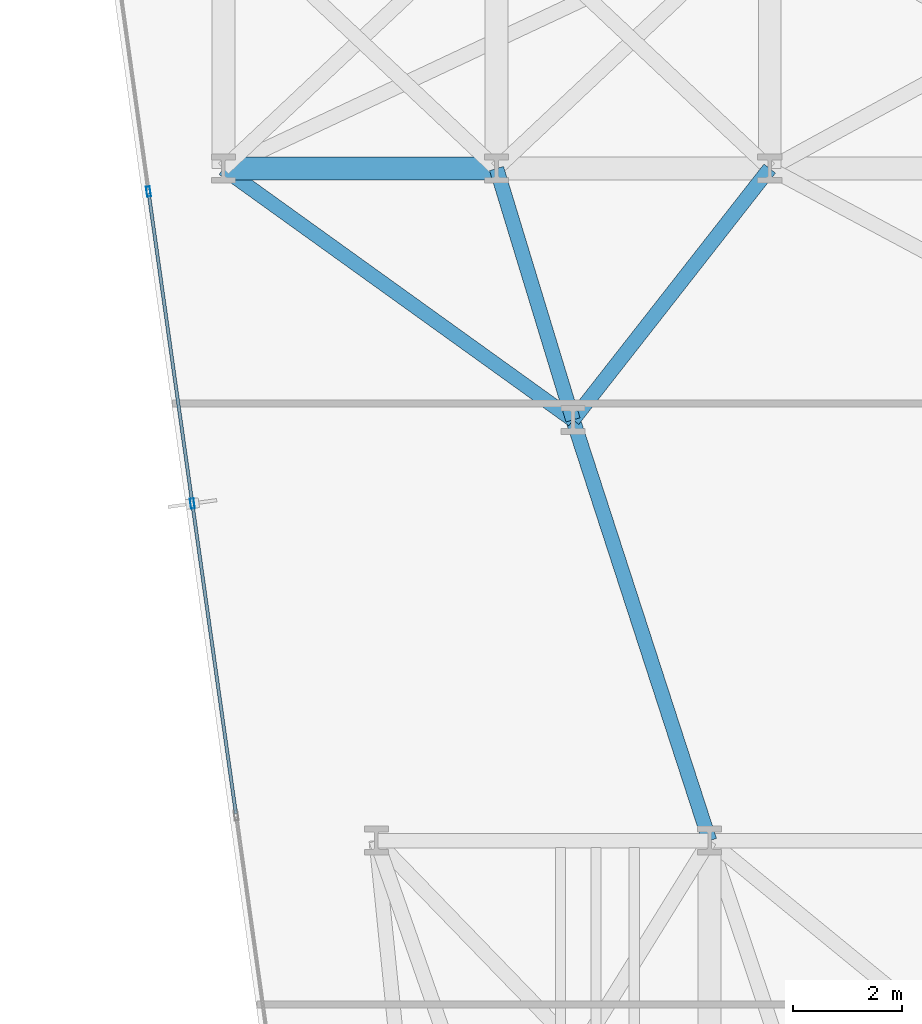
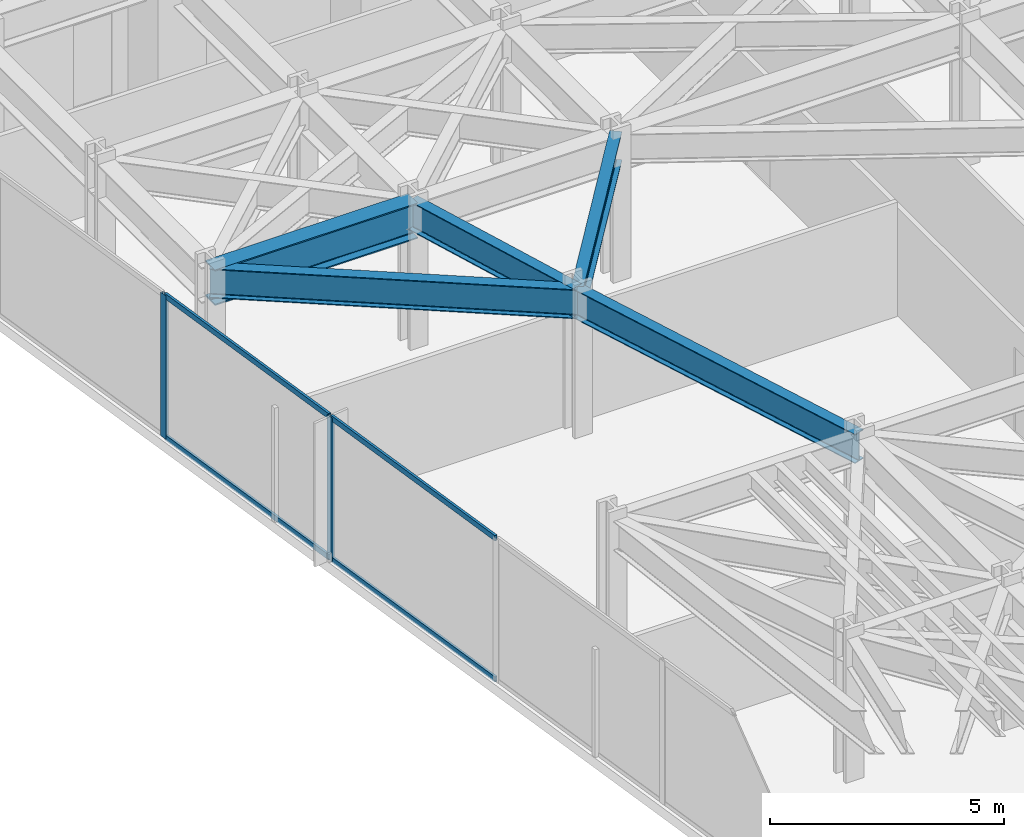
# One storey, part 7 of 25: 6 members, 5 beams, 1 element without a shape of its own.
"""IFC4 building model written with IfcOpenShell, lengths in metres."""

from ifc_helpers import new_model, si_unit, direction, frame, origin, origin_2d, place, context, subcontext, project, spatial, hollow_rectangle, i_section, extrude, material, layer, layer_set, material_profile, profile_set, type_object, element, aggregate, save


model = new_model("IFC4")

# Units and contexts
model_context = context("Model", 3, precision=1e-05, world=origin(), true_north=direction((0.0, 1.0)))
body_context = subcontext(model_context, "Body", "Model", "MODEL_VIEW")
ifc_project = project(units=[si_unit("LENGTHUNIT", "METRE"), si_unit("AREAUNIT", "SQUARE_METRE"), si_unit("VOLUMEUNIT", "CUBIC_METRE"), si_unit("PLANEANGLEUNIT", "RADIAN"), si_unit("MASSUNIT", "GRAM", prefix="KILO")], contexts=[model_context])

# Site, building, storey
site_placement = place(None, origin())
site = spatial("IfcSite", under=ifc_project, at=site_placement, CompositionType="ELEMENT")
building_placement = place(site_placement, origin())
building = spatial("IfcBuilding", under=site, at=building_placement, Name="Kravanh Interchange Tower", CompositionType="ELEMENT")
storey_placement = place(building_placement, frame((0.0, 0.0, 49.5)))
storey = spatial("IfcBuildingStorey", under=building, at=storey_placement, Name="L11", CompositionType="ELEMENT", Elevation=49.5)

# Curtain wall, members
ifc_material_1 = material(Name="Anodised Bronze Aluminium", Category="aluminium")
ifc_layer = layer(ifc_material_1, 0.179931640625)
ifc_layer_set = layer_set([ifc_layer], Name="Unitised Curtain Wall System CW-Z1 Lower Office")
curtain_wall_type = type_object("IfcCurtainWallType", Name="Unitised Curtain Wall System CW-Z1 Lower Office", PredefinedType="NOTDEFINED", material=ifc_layer_set)
curtain_wall_placement = place(storey_placement, origin())
curtain_wall = element("IfcCurtainWall", 1, at=curtain_wall_placement, inside=storey, type_object=curtain_wall_type, Name="L11 Unitised Curtain Wall CW-L11-01", PredefinedType="NOTDEFINED")
ifc_material_2 = material(Name="Anodised Bronze Aluminium", Category="aluminium")
ifc_material_profile_1 = material_profile(ifc_material_2, hollow_rectangle(XDim=0.070068359375, YDim=0.179931640625, WallThickness=0.00390625, at=origin_2d()), Name="ALU70X180X4")
ifc_profile_set_1 = profile_set([ifc_material_profile_1], Name="Anodised Bronze Aluminium")
member_type_1 = type_object("IfcMemberType", Name="Curtain Wall Mullion ALU70X180X4 Bronze", PredefinedType="MULLION", material=ifc_profile_set_1)
member_1_placement = place(storey_placement, frame((8.03271484375, 20.66845703125, 0.0), z_axis=(0.0, 0.0, 1.0), x_axis=(-0.990267585682, -0.139176538065, 0.0)))
member_1 = element("IfcMember", 2, at=member_1_placement, type_object=member_type_1, Name="CW-Z1 mullion 4", PredefinedType="MULLION", context=body_context, shape_type="SweptSolid", body=[
    extrude(hollow_rectangle(XDim=0.070068359375, YDim=0.179931640625, WallThickness=0.00390625, at=origin_2d()), origin(), (0.0, 0.0, 1.0), 3.739990234375),
])
member_2_placement = place(storey_placement, frame((7.22998046875, 26.37890625, 0.0), z_axis=(0.0, 0.0, 1.0), x_axis=(-0.990267585682, -0.139176538065, 0.0)))
member_2 = element("IfcMember", 3, at=member_2_placement, type_object=member_type_1, Name="CW-Z1 mullion 5", PredefinedType="MULLION", context=body_context, shape_type="SweptSolid", body=[
    extrude(hollow_rectangle(XDim=0.070068359375, YDim=0.179931640625, WallThickness=0.00390625, at=origin_2d()), origin(), (0.0, 0.0, 1.0), 3.739990234375),
])
ifc_material_3 = material(Name="Anodised Bronze Aluminium", Category="aluminium")
ifc_material_profile_2 = material_profile(ifc_material_3, hollow_rectangle(XDim=0.06005859375, YDim=0.139892578125, WallThickness=0.00390625, at=origin_2d()), Name="ALU60X140X4")
ifc_profile_set_2 = profile_set([ifc_material_profile_2], Name="Anodised Bronze Aluminium")
member_type_2 = type_object("IfcMemberType", Name="Curtain Wall Transom ALU60X140X4 Bronze", PredefinedType="USERDEFINED", material=ifc_profile_set_2)
member_3_placement = place(storey_placement, frame((8.830322265625, 14.992431640625, 0.030029296875), z_axis=(-0.139153051789, 0.990270886262, 0.0), x_axis=(-0.990270886262, -0.139153051789, 0.0)))
member_3 = element("IfcMember", 4, at=member_3_placement, type_object=member_type_2, Name="CW-Z1 transom 3.1", ObjectType="TRANSOM", PredefinedType="USERDEFINED", context=body_context, shape_type="SweptSolid", body=[
    extrude(hollow_rectangle(XDim=0.06005859375, YDim=0.139892578125, WallThickness=0.00390625, at=origin_2d()), origin(), (0.0, 0.0, 1.0), 5.69677734375),
])
member_4_placement = place(storey_placement, frame((8.830322265625, 14.992431640625, 3.7099609375), z_axis=(-0.139153051789, 0.990270886262, 0.0), x_axis=(-0.990270886262, -0.139153051789, 0.0)))
member_4 = element("IfcMember", 5, at=member_4_placement, type_object=member_type_2, Name="CW-Z1 transom 3.2", ObjectType="TRANSOM", PredefinedType="USERDEFINED", context=body_context, shape_type="SweptSolid", body=[
    extrude(hollow_rectangle(XDim=0.06005859375, YDim=0.139892578125, WallThickness=0.00390625, at=origin_2d()), origin(), (0.0, 0.0, 1.0), 5.69677734375),
])
member_5_placement = place(storey_placement, frame((8.02783203125, 20.703125, 0.030029296875), z_axis=(-0.139200984921, 0.990264149506, 0.0), x_axis=(-0.990264149506, -0.139200984921, 0.0)))
member_5 = element("IfcMember", 6, at=member_5_placement, type_object=member_type_2, Name="CW-Z1 transom 4.1", ObjectType="TRANSOM", PredefinedType="USERDEFINED", context=body_context, shape_type="SweptSolid", body=[
    extrude(hollow_rectangle(XDim=0.06005859375, YDim=0.139892578125, WallThickness=0.00390625, at=origin_2d()), origin(), (0.0, 0.0, 1.0), 5.696533203125),
])
member_6_placement = place(storey_placement, frame((8.02783203125, 20.703125, 3.7099609375), z_axis=(-0.139200984921, 0.990264149506, 0.0), x_axis=(-0.990264149506, -0.139200984921, 0.0)))
member_6 = element("IfcMember", 7, at=member_6_placement, type_object=member_type_2, Name="CW-Z1 transom 4.2", ObjectType="TRANSOM", PredefinedType="USERDEFINED", context=body_context, shape_type="SweptSolid", body=[
    extrude(hollow_rectangle(XDim=0.06005859375, YDim=0.139892578125, WallThickness=0.00390625, at=origin_2d()), origin(), (0.0, 0.0, 1.0), 5.696533203125),
])
aggregate(curtain_wall, [member_1, member_2, member_3, member_4, member_5, member_6])

# Beams
ifc_material_4 = material(Name="Structural Steel S355", Category="steel")
ifc_material_profile_3 = material_profile(ifc_material_4, i_section(OverallWidth=0.41796875, OverallDepth=0.927001953125, WebThickness=0.019287109375, FlangeThickness=0.031982421875, FilletRadius=0.028076171875, at=origin_2d()), Name="W36X231")
ifc_profile_set_3 = profile_set([ifc_material_profile_3], Name="Structural Steel S355")
beam_type_1 = type_object("IfcBeamType", Name="Floor Beam W36X231 Structural Steel S355", PredefinedType="BEAM", material=ifc_profile_set_3)
beam_1_placement = place(storey_placement, frame((8.60009765625, 26.800048828125, 3.276611328125), z_axis=(1.0, 0.0, 0.0), x_axis=(0.0, 1.0, 0.0)))
element("IfcBeam", 8, at=beam_1_placement, inside=storey, type_object=beam_type_1, Name="L11 Primary Floor Girder 67", PredefinedType="BEAM", context=body_context, shape_type="SweptSolid", body=[
    extrude(i_section(OverallWidth=0.41796875, OverallDepth=0.927001953125, WebThickness=0.019287109375, FlangeThickness=0.031982421875, FilletRadius=0.028076171875, at=origin_2d()), origin(), (0.0, 0.0, 1.0), 5.0),
])
ifc_material_5 = material(Name="Structural Steel S355", Category="steel")
ifc_material_profile_4 = material_profile(ifc_material_5, i_section(OverallWidth=0.26708984375, OverallDepth=0.761962890625, WebThickness=0.014404296875, FlangeThickness=0.021484375, FilletRadius=0.02490234375, at=origin_2d()), Name="W30X116")
ifc_profile_set_4 = profile_set([ifc_material_profile_4], Name="Structural Steel S355")
beam_type_2 = type_object("IfcBeamType", Name="Floor Spandrel W30X116 Structural Steel S355", PredefinedType="SPANDREL", material=ifc_profile_set_4)
beam_2_placement = place(storey_placement, frame((15.0, 22.199951171875, 3.35888671875), z_axis=(-0.291137370727, 0.956681259023, 0.0), x_axis=(-0.956681259023, -0.291137370727, 0.0)))
element("IfcBeam", 9, at=beam_2_placement, inside=storey, type_object=beam_type_2, Name="L11 Perimeter Spandrel 50", PredefinedType="SPANDREL", context=body_context, shape_type="SweptSolid", body=[
    extrude(i_section(OverallWidth=0.26708984375, OverallDepth=0.761962890625, WebThickness=0.014404296875, FlangeThickness=0.021484375, FilletRadius=0.02490234375, at=origin_2d()), origin(), (0.0, 0.0, 1.0), 4.808349609375),
])
beam_3_placement = place(storey_placement, frame((15.0, 22.199951171875, 3.35888671875), z_axis=(0.616310515553, 0.787503237085, 0.0), x_axis=(-0.787503237085, 0.616310515553, 0.0)))
element("IfcBeam", 10, at=beam_3_placement, inside=storey, type_object=beam_type_2, Name="L11 Perimeter Spandrel 51", PredefinedType="SPANDREL", context=body_context, shape_type="SweptSolid", body=[
    extrude(i_section(OverallWidth=0.26708984375, OverallDepth=0.761962890625, WebThickness=0.014404296875, FlangeThickness=0.021484375, FilletRadius=0.02490234375, at=origin_2d()), origin(), (0.0, 0.0, 1.0), 5.84130859375),
])
beam_4_placement = place(storey_placement, frame((15.0, 22.199951171875, 3.35888671875), z_axis=(-0.812005278585, 0.583650089994, 0.0), x_axis=(-0.583650089994, -0.812005278585, 0.0)))
element("IfcBeam", 11, at=beam_4_placement, inside=storey, type_object=beam_type_2, Name="L11 Perimeter Spandrel 52", PredefinedType="SPANDREL", context=body_context, shape_type="SweptSolid", body=[
    extrude(i_section(OverallWidth=0.26708984375, OverallDepth=0.761962890625, WebThickness=0.014404296875, FlangeThickness=0.021484375, FilletRadius=0.02490234375, at=origin_2d()), origin(), (0.0, 0.0, 1.0), 7.881591796875),
])
beam_5_placement = place(storey_placement, frame((15.0, 22.199951171875, 3.35888671875), z_axis=(0.30880852537, -0.951124226723, 0.0), x_axis=(0.951124226723, 0.30880852537, 0.0)))
element("IfcBeam", 12, at=beam_5_placement, inside=storey, type_object=beam_type_2, Name="L11 Perimeter Spandrel 53", PredefinedType="SPANDREL", context=body_context, shape_type="SweptSolid", body=[
    extrude(i_section(OverallWidth=0.26708984375, OverallDepth=0.761962890625, WebThickness=0.014404296875, FlangeThickness=0.021484375, FilletRadius=0.02490234375, at=origin_2d()), origin(), (0.0, 0.0, 1.0), 8.095703125),
])

save(model, "model.ifc")
